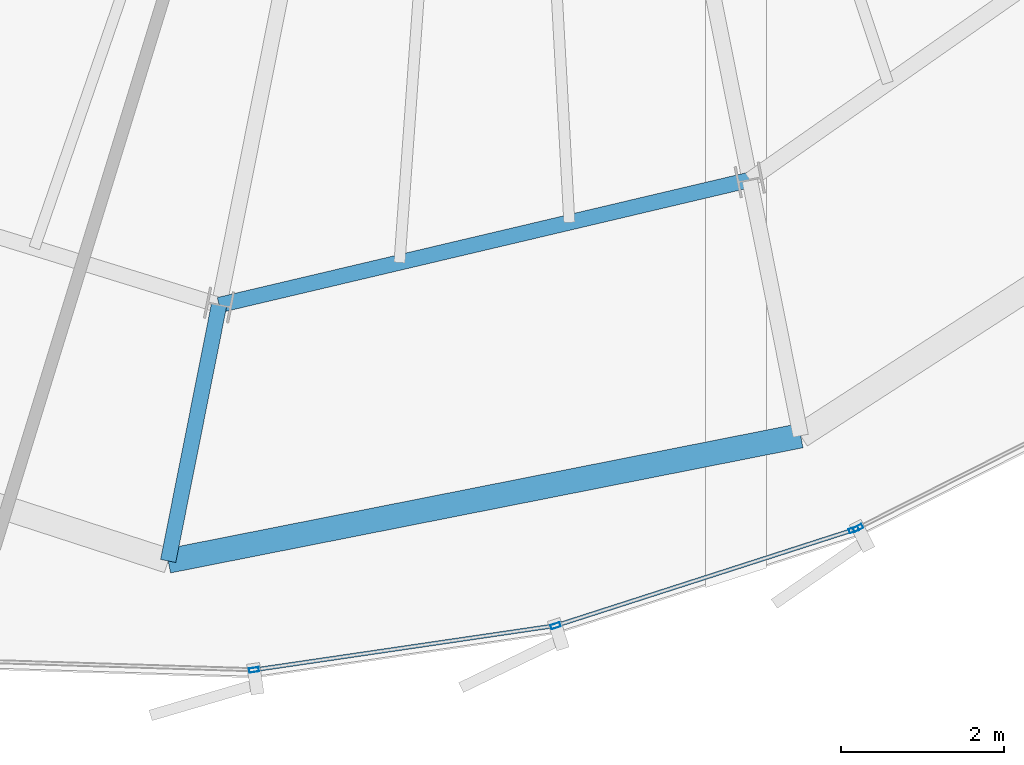
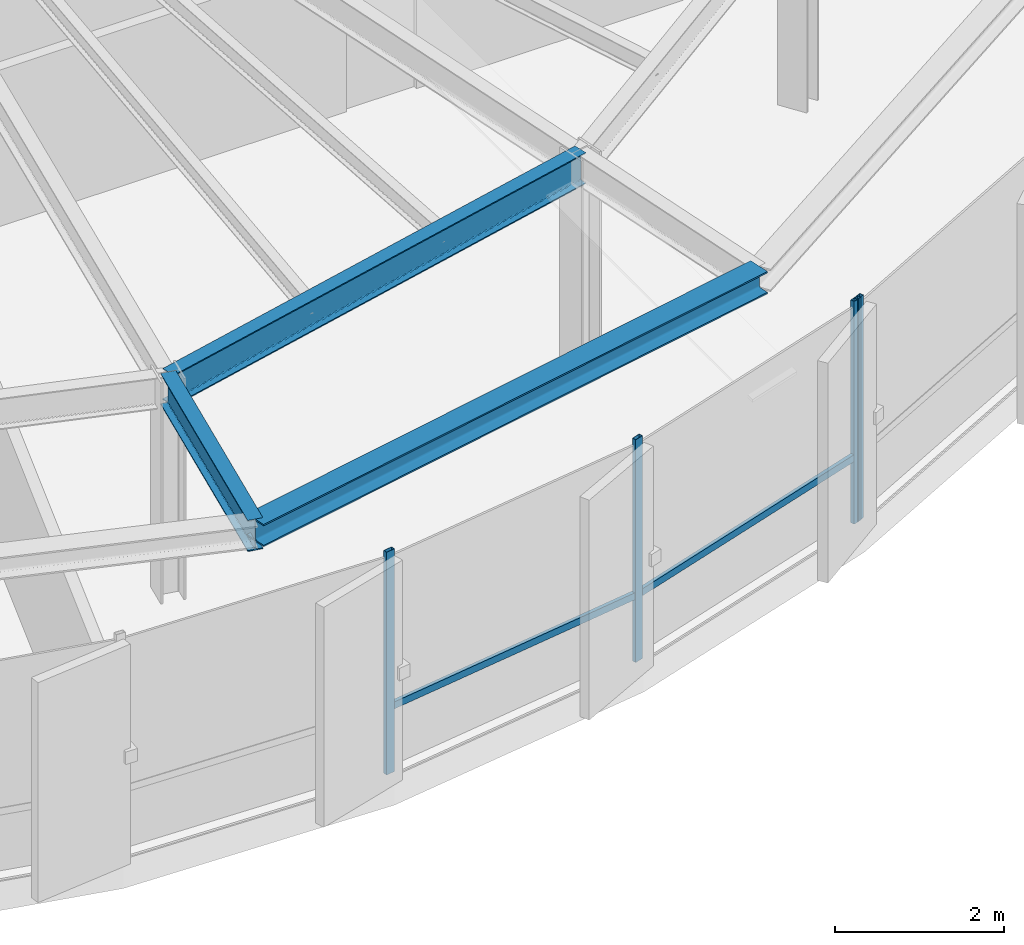
# One storey, part 6 of 36: 6 members, 3 beams, 2 elements without a shape of their own.
"""IFC4 building model written with IfcOpenShell, lengths in metres."""

from ifc_helpers import new_model, si_unit, direction, frame, origin, origin_2d, place, context, subcontext, project, spatial, hollow_rectangle, i_section, extrude, source, transform, mapped, material, layer, layer_set, material_profile, profile_set, type_object, element, aggregate, save


model = new_model("IFC4")

# Units and contexts
model_context = context("Model", 3, precision=1e-05, world=origin(), true_north=direction((0.0, 1.0)))
body_context = subcontext(model_context, "Body", "Model", "MODEL_VIEW")
ifc_project = project(units=[si_unit("LENGTHUNIT", "METRE"), si_unit("AREAUNIT", "SQUARE_METRE"), si_unit("VOLUMEUNIT", "CUBIC_METRE"), si_unit("PLANEANGLEUNIT", "RADIAN"), si_unit("MASSUNIT", "GRAM", prefix="KILO"), si_unit("THERMODYNAMICTEMPERATUREUNIT", "KELVIN")], contexts=[model_context])

# Site, building, storey
site_placement = place(None, origin())
site = spatial("IfcSite", under=ifc_project, at=site_placement, CompositionType="ELEMENT")
building_placement = place(site_placement, origin())
building = spatial("IfcBuilding", under=site, at=building_placement, Name="Kethvar Cultural Tower", CompositionType="ELEMENT")
storey_placement = place(building_placement, frame((0.0, 0.0, 228.39990234375)))
storey = spatial("IfcBuildingStorey", under=building, at=storey_placement, Name="L59", CompositionType="ELEMENT", Elevation=228.39990234375)

# Beams
ifc_material_1 = material(Name="Steel S355J2", Category="steel")
ifc_material_profile_1 = material_profile(ifc_material_1, i_section(OverallWidth=0.18994140625, OverallDepth=0.449951171875, WebThickness=0.009521484375, FlangeThickness=0.0146484375, FilletRadius=0.02099609375, at=origin_2d()), Name="Steel S355J2 — IPE450")
ifc_profile_set_1 = profile_set([ifc_material_profile_1], Name="Steel S355J2 — IPE450")
beam_type_1 = type_object("IfcBeamType", Name="BM-IPE450", PredefinedType="BEAM", material=ifc_profile_set_1)
shared_shape_1 = source(origin(), body_context, "Body", "SweptSolid", [
    extrude(i_section(OverallWidth=0.18994140625, OverallDepth=0.449951171875, WebThickness=0.009521484375, FlangeThickness=0.0146484375, FilletRadius=0.02099609375, at=origin_2d()), origin(), (0.0, 0.0, 1.0), 3.2001953125),
])
beam_1_placement = place(storey_placement, frame((43.392822265625, 10.67138671875, 2.983154296875), z_axis=(-0.195074368086, -0.980788453702, 0.0), x_axis=(0.980788453702, -0.195074368086, 0.0)))
element("IfcBeam", 1, at=beam_1_placement, inside=storey, type_object=beam_type_1, Name="L59 Perimeter Cantilever Beam RC-12", PredefinedType="BEAM", context=body_context, shape_type="MappedRepresentation", body=[
    mapped(shared_shape_1, transform((0.0, 0.0, 0.0), scale=1.0)),
])
shared_shape_2 = source(origin(), body_context, "Body", "SweptSolid", [
    extrude(i_section(OverallWidth=0.18994140625, OverallDepth=0.449951171875, WebThickness=0.009521484375, FlangeThickness=0.0146484375, FilletRadius=0.02099609375, at=origin_2d()), origin(), (0.0, 0.0, 1.0), 6.6875),
])
beam_2_placement = place(storey_placement, frame((43.392822265625, 10.67138671875, 2.983154296875), z_axis=(0.973286301494, 0.22959480683, 0.0), x_axis=(-0.22959480683, 0.973286301494, 0.0)))
element("IfcBeam", 2, at=beam_2_placement, inside=storey, type_object=beam_type_1, Name="L59 Column Ring Tie Beam CR-12", PredefinedType="BEAM", context=body_context, shape_type="MappedRepresentation", body=[
    mapped(shared_shape_2, transform((0.0, 0.0, 0.0), scale=1.0)),
])
ifc_material_profile_2 = material_profile(ifc_material_1, i_section(OverallWidth=0.300048828125, OverallDepth=0.320068359375, WebThickness=0.011474609375, FlangeThickness=0.0205078125, FilletRadius=0.027099609375, at=origin_2d()), Name="Steel S355J2 — HEB320")
ifc_profile_set_2 = profile_set([ifc_material_profile_2], Name="Steel S355J2 — HEB320")
beam_type_2 = type_object("IfcBeamType", Name="BM-SP320", PredefinedType="SPANDREL", material=ifc_profile_set_2)
shared_shape_3 = source(origin(), body_context, "Body", "SweptSolid", [
    extrude(i_section(OverallWidth=0.300048828125, OverallDepth=0.320068359375, WebThickness=0.011474609375, FlangeThickness=0.0205078125, FilletRadius=0.027099609375, at=origin_2d()), origin(), (0.0, 0.0, 1.0), 7.907958984375),
])
beam_3_placement = place(storey_placement, frame((42.7685546875, 7.53271484375, 3.048095703125), z_axis=(0.980963515828, 0.194192122948, 0.0), x_axis=(-0.194192122948, 0.980963515828, 0.0)))
element("IfcBeam", 3, at=beam_3_placement, inside=storey, type_object=beam_type_2, Name="L59 Perimeter Spandrel Beam SP-12", PredefinedType="SPANDREL", context=body_context, shape_type="MappedRepresentation", body=[
    mapped(shared_shape_3, transform((0.0, 0.0, 0.0), scale=1.0)),
])

# Curtain wall, members
ifc_material_2 = material(Name="Aluminium 6063-T6", Category="aluminium")
ifc_layer = layer(ifc_material_2, 0.179931640625, Name="Aluminium 6063-T6", Category="aluminium")
ifc_layer_set = layer_set([ifc_layer], Name="Aluminium 6063-T6 (180 mm)")
curtain_wall_type = type_object("IfcCurtainWallType", Name="CW-SYS-05-Z56", PredefinedType="NOTDEFINED", material=ifc_layer_set)
curtain_wall_1_placement = place(storey_placement, origin())
curtain_wall_1 = element("IfcCurtainWall", 4, at=curtain_wall_1_placement, inside=storey, type_object=curtain_wall_type, Name="L59 Curtain Wall Run 04", PredefinedType="NOTDEFINED")
ifc_material_profile_3 = material_profile(ifc_material_2, hollow_rectangle(XDim=0.054931640625, YDim=0.1201171875, WallThickness=0.00390625, at=origin_2d()), Name="Aluminium 6063-T6 — RHS120x55x4")
ifc_profile_set_3 = profile_set([ifc_material_profile_3], Name="Aluminium 6063-T6 — RHS120x55x4")
member_type_1 = type_object("IfcMemberType", Name="CW-SYS-05-Z56-MUL", PredefinedType="MULLION", material=ifc_profile_set_3)
shared_shape_4 = source(origin(), body_context, "Body", "SweptSolid", [
    extrude(hollow_rectangle(XDim=0.054931640625, YDim=0.1201171875, WallThickness=0.00390625, at=origin_2d()), origin(), (0.0, 0.0, 1.0), 3.210205078125),
])
member_1_placement = place(storey_placement, frame((43.821533203125, 6.196533203125, 0.0), z_axis=(0.0, 0.0, 1.0), x_axis=(-0.145340546938, 0.989381688438, 0.0)))
member_1 = element("IfcMember", 5, at=member_1_placement, type_object=member_type_1, Name="CW-L59-R04 Mullion 5", PredefinedType="MULLION", context=body_context, shape_type="MappedRepresentation", body=[
    mapped(shared_shape_4, transform((0.0, 0.0, 0.0), scale=1.0)),
])
member_2_placement = place(storey_placement, frame((47.520263671875, 6.738525390625, 0.0), z_axis=(0.0, 0.0, 1.0), x_axis=(-0.306409783897, 0.951899702874, 0.0)))
member_2 = element("IfcMember", 6, at=member_2_placement, type_object=member_type_1, Name="CW-L59-R04 Mullion 6", PredefinedType="MULLION", context=body_context, shape_type="MappedRepresentation", body=[
    mapped(shared_shape_4, transform((0.0, 0.0, 0.0), scale=1.0)),
])
member_3_placement = place(storey_placement, frame((51.177978515625, 7.916015625, 0.0), z_axis=(0.0, 0.0, 1.0), x_axis=(-0.306409783897, 0.951899702874, 0.0)))
member_3 = element("IfcMember", 7, at=member_3_placement, type_object=member_type_1, Name="CW-L59-R04 Mullion 7", PredefinedType="MULLION", context=body_context, shape_type="MappedRepresentation", body=[
    mapped(shared_shape_4, transform((0.0, 0.0, 0.0), scale=1.0)),
])

# Curtain wall, member
curtain_wall_2_placement = place(storey_placement, origin())
curtain_wall_2 = element("IfcCurtainWall", 8, at=curtain_wall_2_placement, inside=storey, type_object=curtain_wall_type, Name="L59 Curtain Wall Run 05", PredefinedType="NOTDEFINED")
member_4_placement = place(storey_placement, frame((51.229736328125, 7.937255859375, 0.0), z_axis=(0.0, 0.0, 1.0), x_axis=(-0.450565941999, 0.892743150022, 0.0)))
member_4 = element("IfcMember", 9, at=member_4_placement, type_object=member_type_1, Name="CW-L59-R05 Mullion 1", PredefinedType="MULLION", context=body_context, shape_type="MappedRepresentation", body=[
    mapped(shared_shape_4, transform((0.0, 0.0, 0.0), scale=1.0)),
])
aggregate(curtain_wall_2, [member_4])

# Member
ifc_material_profile_4 = material_profile(ifc_material_2, hollow_rectangle(XDim=0.050048828125, YDim=0.10009765625, WallThickness=0.00390625, at=origin_2d()), Name="Aluminium 6063-T6 — RHS100x50x4")
ifc_profile_set_4 = profile_set([ifc_material_profile_4], Name="Aluminium 6063-T6 — RHS100x50x4")
member_type_2 = type_object("IfcMemberType", Name="CW-SYS-05-Z56-TRN", PredefinedType="USERDEFINED", material=ifc_profile_set_4)
shared_shape_5 = source(origin(), body_context, "Body", "SweptSolid", [
    extrude(hollow_rectangle(XDim=0.050048828125, YDim=0.10009765625, WallThickness=0.00390625, at=origin_2d()), origin(), (0.0, 0.0, 1.0), 3.675537109375),
])
member_5_placement = place(storey_placement, frame((43.860595703125, 6.202392578125, 0.9501953125), z_axis=(0.989382463765, 0.14533526893, 0.0), x_axis=(-0.14533526893, 0.989382463765, 0.0)))
member_5 = element("IfcMember", 10, at=member_5_placement, type_object=member_type_2, Name="CW-L59-R04 Transom 5", ObjectType="TRANSOM", PredefinedType="USERDEFINED", context=body_context, shape_type="MappedRepresentation", body=[
    mapped(shared_shape_5, transform((0.0, 0.0, 0.0), scale=1.0)),
])

shared_shape_6 = source(origin(), body_context, "Body", "SweptSolid", [
    extrude(hollow_rectangle(XDim=0.050048828125, YDim=0.10009765625, WallThickness=0.00390625, at=origin_2d()), origin(), (0.0, 0.0, 1.0), 3.79931640625),
])
member_6_placement = place(storey_placement, frame((47.557861328125, 6.750732421875, 0.9501953125), z_axis=(0.951909483057, 0.306379398894, 0.0), x_axis=(-0.306379398894, 0.951909483057, 0.0)))
member_6 = element("IfcMember", 11, at=member_6_placement, type_object=member_type_2, Name="CW-L59-R04 Transom 6", ObjectType="TRANSOM", PredefinedType="USERDEFINED", context=body_context, shape_type="MappedRepresentation", body=[
    mapped(shared_shape_6, transform((0.0, 0.0, 0.0), scale=1.0)),
])

aggregate(curtain_wall_1, [member_1, member_2, member_3, member_5, member_6])

save(model, "model.ifc")
